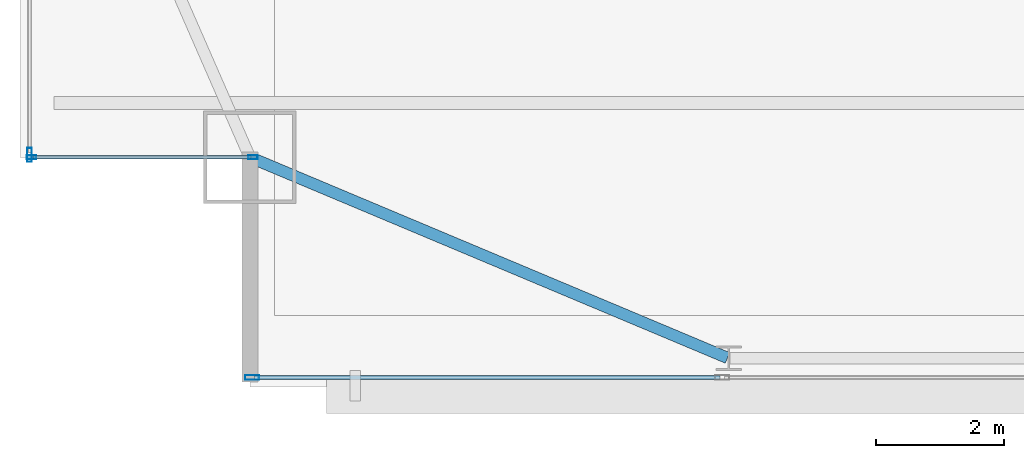
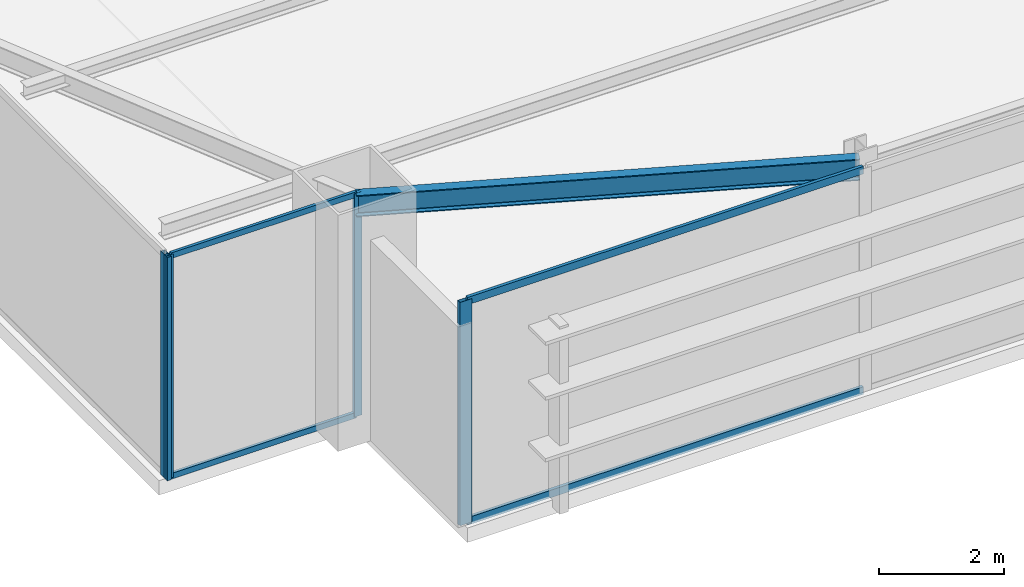
# One storey, part 4 of 32: 8 members, 1 beam, 3 elements without a shape of their own.
"""IFC4 building model written with IfcOpenShell, lengths in metres."""

import ifcopenshell
import ifcopenshell.guid

model = None  # the IFC model being written
_history = None  # IfcOwnerHistory: only IFC2X3 demands one
_inside = {}  # id of a spatial element -> (the spatial element, [elements in it])
_under = {}  # id of a project, library or spatial element -> (it, [spatial elements below it])
_declared = {}  # id of a project -> (the project, [libraries it declares])
_typed = {}  # id of a type object -> (the type object, [elements of that type])
_made_of = {}  # id of a material, layer set ... -> (it, [elements and type objects made of it])


def new_model(schema):
    """Start an empty IFC model of exactly this schema.

    Asked for "IFC4X3", IfcOpenShell would pick the latest addendum, in which some entities
    have other attributes; the version numbers below select the first issue.
    IFC2X3 requires an IfcOwnerHistory on every rooted entity: one is made here for all.
    """
    global model, _history
    if schema == "IFC4X3":
        model = ifcopenshell.file(schema_version=(4, 3, 0, 0))
    else:
        model = ifcopenshell.file(schema=schema)
    _inside.clear()
    _under.clear()
    _declared.clear()
    _typed.clear()
    _made_of.clear()
    _history = None
    if model.schema == "IFC2X3":
        org = make("IfcOrganization", Name="unknown")
        user = make(
            "IfcPersonAndOrganization",
            ThePerson=make("IfcPerson", FamilyName="unknown"),
            TheOrganization=org,
        )
        app = make(
            "IfcApplication",
            ApplicationDeveloper=org,
            Version="unknown",
            ApplicationFullName="unknown",
            ApplicationIdentifier="unknown",
        )
        _history = make(
            "IfcOwnerHistory",
            OwningUser=user,
            OwningApplication=app,
            ChangeAction="ADDED",
            CreationDate=0,
        )
    return model


def make(cls, **values):
    """One entity of the class cls with the attributes given. An attribute that is None is left unset."""
    return model.create_entity(
        cls, **{name: value for name, value in values.items() if value is not None}
    )


def rooted(cls, **values):
    """An entity with a GlobalId (a new one), such as an element, a storey or a relation."""
    return make(cls, GlobalId=ifcopenshell.guid.new(), OwnerHistory=_history, **values)


def si_unit(unit_type, name, prefix=None):
    """IfcSIUnit, for example si_unit("LENGTHUNIT", "METRE", prefix="MILLI")."""
    return make("IfcSIUnit", UnitType=unit_type, Prefix=prefix, Name=name)


def assignment(units):
    """IfcUnitAssignment: the units of a project."""
    return None if units is None else make("IfcUnitAssignment", Units=units)


def point(xyz):
    """IfcCartesianPoint."""
    return None if xyz is None else make("IfcCartesianPoint", Coordinates=xyz)


def direction(xyz):
    """IfcDirection."""
    return None if xyz is None else make("IfcDirection", DirectionRatios=xyz)


def frame(location, z_axis=None, x_axis=None):
    """IfcAxis2Placement3D, a coordinate frame: its origin and axes. An axis left out is left unset."""
    return make(
        "IfcAxis2Placement3D",
        Location=point(location),
        Axis=direction(z_axis),
        RefDirection=direction(x_axis),
    )


def frame_2d(location, x_axis=None):
    """IfcAxis2Placement2D, a coordinate frame in the plane: its origin and x axis."""
    return make(
        "IfcAxis2Placement2D", Location=point(location), RefDirection=direction(x_axis)
    )


def origin():
    """The frame at (0, 0, 0) with its axes left unset."""
    return frame((0.0, 0.0, 0.0))


def origin_2d():
    """The frame at (0, 0) in the plane with its x axis left unset."""
    return frame_2d((0.0, 0.0))


def place(relative_to, where):
    """IfcLocalPlacement: puts the frame where relative to a parent placement (None: the world)."""
    return make(
        "IfcLocalPlacement", PlacementRelTo=relative_to, RelativePlacement=where
    )


def context(
    kind, dimensions, precision=None, world=None, true_north=None, identifier=None
):
    """IfcGeometricRepresentationContext, for example the 3D "Model" context."""
    return make(
        "IfcGeometricRepresentationContext",
        ContextIdentifier=identifier,
        ContextType=kind,
        CoordinateSpaceDimension=dimensions,
        Precision=precision,
        WorldCoordinateSystem=world,
        TrueNorth=true_north,
    )


def subcontext(parent, identifier, kind, view, scale=None):
    """IfcGeometricRepresentationSubContext, for example "Body" below "Model"."""
    return make(
        "IfcGeometricRepresentationSubContext",
        ContextIdentifier=identifier,
        ContextType=kind,
        ParentContext=parent,
        TargetScale=scale,
        TargetView=view,
    )


def project(units=None, contexts=None):
    """IfcProject with its units and contexts."""
    return rooted(
        "IfcProject",
        Name="project",
        RepresentationContexts=contexts,
        UnitsInContext=assignment(units),
    )


def spatial(cls, under=None, at=None, **own):
    """A site, building, storey or space (cls), placed at a placement, below another one or the project."""
    s = rooted(cls, ObjectPlacement=at, **own)
    if under is not None:
        _under.setdefault(under.id(), (under, []))[1].append(s)
    return s


def profile(cls, at=None, kind="AREA", **sizes):
    """A parametric profile (cls). Its sizes go by their IFC names, for example OverallWidth=200.0."""
    return make(cls, ProfileType=kind, Position=at, **sizes)


def hollow_rectangle(**sizes):
    """IfcRectangleHollowProfileDef."""
    return profile("IfcRectangleHollowProfileDef", **sizes)


def i_section(**sizes):
    """IfcIShapeProfileDef."""
    return profile("IfcIShapeProfileDef", **sizes)


def extrude(swept, where, along, depth):
    """IfcExtrudedAreaSolid: the profile swept, set in the frame where, extruded along a direction by depth."""
    return make(
        "IfcExtrudedAreaSolid",
        SweptArea=swept,
        Position=where,
        ExtrudedDirection=direction(along),
        Depth=depth,
    )


def shape(context_of_items, identifier, shape_type, items):
    """IfcShapeRepresentation: the items that make up one representation, for example the "Body"."""
    return make(
        "IfcShapeRepresentation",
        ContextOfItems=context_of_items,
        RepresentationIdentifier=identifier,
        RepresentationType=shape_type,
        Items=items,
    )


def source(mapping_origin, context_of_items, identifier, shape_type, items):
    """IfcRepresentationMap: a shape defined once, which mapped items show again and again."""
    return make(
        "IfcRepresentationMap",
        MappingOrigin=mapping_origin,
        MappedRepresentation=shape(context_of_items, identifier, shape_type, items),
    )


def transform(
    local_origin,
    x_axis=None,
    y_axis=None,
    z_axis=None,
    scale=None,
    scale2=None,
    scale3=None,
    uniform=True,
):
    """IfcCartesianTransformationOperator3D, or its non-uniform kind. x_axis, y_axis, z_axis: its Axis1, 2, 3."""
    if uniform:
        return make(
            "IfcCartesianTransformationOperator3D",
            Axis1=direction(x_axis),
            Axis2=direction(y_axis),
            LocalOrigin=point(local_origin),
            Scale=scale,
            Axis3=direction(z_axis),
        )
    return make(
        "IfcCartesianTransformationOperator3DnonUniform",
        Axis1=direction(x_axis),
        Axis2=direction(y_axis),
        LocalOrigin=point(local_origin),
        Scale=scale,
        Axis3=direction(z_axis),
        Scale2=scale2,
        Scale3=scale3,
    )


def mapped(mapping_source, mapping_target):
    """IfcMappedItem: shows the shape of a source again, moved by a transform."""
    return make(
        "IfcMappedItem", MappingSource=mapping_source, MappingTarget=mapping_target
    )


def material(Name=None, Category=None):
    """IfcMaterial."""
    return make("IfcMaterial", Name=Name, Category=Category)


def layer(
    of_material, thickness, ventilated=None, Name=None, Category=None, Priority=None
):
    """IfcMaterialLayer: one layer of a wall or slab, of a material (None: an air gap)."""
    return make(
        "IfcMaterialLayer",
        Material=of_material,
        LayerThickness=thickness,
        IsVentilated=ventilated,
        Name=Name,
        Category=Category,
        Priority=Priority,
    )


def layer_set(layers, Name=None):
    """IfcMaterialLayerSet."""
    return make("IfcMaterialLayerSet", MaterialLayers=layers, LayerSetName=Name)


def material_profile(
    of_material, cross_section, Name=None, Category=None, Priority=None
):
    """IfcMaterialProfile: a cross section and its material."""
    return make(
        "IfcMaterialProfile",
        Name=Name,
        Material=of_material,
        Profile=cross_section,
        Priority=Priority,
        Category=Category,
    )


def profile_set(profiles, Name=None, composite=None):
    """IfcMaterialProfileSet."""
    return make(
        "IfcMaterialProfileSet",
        Name=Name,
        MaterialProfiles=profiles,
        CompositeProfile=composite,
    )


def made_of(thing, what):
    """Note that an element or type object is made of a material, layer set ...; save() writes the relation."""
    if what is not None:
        _made_of.setdefault(what.id(), (what, []))[1].append(thing)
    return thing


def type_object(cls, material=None, **own):
    """A type object (cls), such as IfcWallType, which elements share."""
    return made_of(rooted(cls, **own), material)


def type_shapes(of_type, sources):
    """Give a type object the sources (RepresentationMaps) that its elements show as mapped items."""
    of_type.RepresentationMaps = sources


def element(
    cls,
    number,
    at=None,
    inside=None,
    cuts=None,
    type_object=None,
    material=None,
    context=None,
    identifier="Body",
    shape_type=None,
    held_by="IfcProductDefinitionShape",
    body=None,
    shapes=None,
    **own,
):
    """One element of the class cls, such as IfcWall. Its Tag is "e" and its number.

    at: its placement. inside: the storey or other place that contains it. cuts: it is an
    opening in that element (IfcRelVoidsElement). A single representation is given by context,
    identifier, shape_type and body (its items); several are given by shapes. held_by: the class
    of the entity that holds the representations. save() writes the other relations.
    """
    e = rooted(cls, Tag="e%d" % number, ObjectPlacement=at, **own)
    if body is not None:
        shapes = [shape(context, identifier, shape_type, body)]
    if shapes is not None:
        e.Representation = make(held_by, Representations=shapes)
    if inside is not None:
        _inside.setdefault(inside.id(), (inside, []))[1].append(e)
    if cuts is not None:
        rooted(
            "IfcRelVoidsElement", RelatingBuildingElement=cuts, RelatedOpeningElement=e
        )
    if type_object is not None:
        _typed.setdefault(type_object.id(), (type_object, []))[1].append(e)
    return made_of(e, material)


def aggregate(whole, parts):
    """IfcRelAggregates: a whole, such as a stair, and the parts it consists of."""
    return rooted("IfcRelAggregates", RelatingObject=whole, RelatedObjects=parts)


def save(model, path):
    """Write the relations noted so far, then the file.

    IfcRelAggregates (storeys below a building ...), IfcRelContainedInSpatialStructure (elements
    in a storey), IfcRelDefinesByType, IfcRelAssociatesMaterial and IfcRelDeclares: one each for
    every whole, place, type object, material and project.
    """
    for whole, parts in _under.values():
        aggregate(whole, parts)
    for where, things in _inside.values():
        rooted(
            "IfcRelContainedInSpatialStructure",
            RelatedElements=things,
            RelatingStructure=where,
        )
    for kind, things in _typed.values():
        rooted("IfcRelDefinesByType", RelatedObjects=things, RelatingType=kind)
    for what, things in _made_of.values():
        rooted("IfcRelAssociatesMaterial", RelatedObjects=things, RelatingMaterial=what)
    for by, libraries in _declared.values():
        rooted("IfcRelDeclares", RelatingContext=by, RelatedDefinitions=libraries)
    model.write(path)


model = new_model("IFC4")

# Units and contexts
model_context = context("Model", 3, precision=1e-05, world=origin(), true_north=direction((0.0, 1.0)))
body_context = subcontext(model_context, "Body", "Model", "MODEL_VIEW")
ifc_project = project(units=[si_unit("LENGTHUNIT", "METRE"), si_unit("AREAUNIT", "SQUARE_METRE"), si_unit("VOLUMEUNIT", "CUBIC_METRE"), si_unit("PLANEANGLEUNIT", "RADIAN"), si_unit("MASSUNIT", "GRAM", prefix="KILO")], contexts=[model_context])

# Site, building, storey
site_placement = place(None, origin())
site = spatial("IfcSite", under=ifc_project, at=site_placement, CompositionType="ELEMENT")
building_placement = place(site_placement, origin())
building = spatial("IfcBuilding", under=site, at=building_placement, Name="Varnel Quay Broadcast Tower", CompositionType="ELEMENT")
storey_placement = place(building_placement, frame((0.0, 0.0, 98.39990234375)))
storey = spatial("IfcBuildingStorey", under=building, at=storey_placement, Name="L23", CompositionType="ELEMENT", Elevation=98.39990234375)

# Beam
ifc_material_1 = material(Name="Structural Steel CSA G40.21 350W", Category="steel")
ifc_material_profile_1 = material_profile(ifc_material_1, i_section(OverallWidth=0.180908203125, OverallDepth=0.4169921875, WebThickness=0.010986328125, FlangeThickness=0.018310546875, FilletRadius=0.011962890625, at=origin_2d()), Name="W410X85")
ifc_profile_set_1 = profile_set([ifc_material_profile_1], Name="Structural Steel CSA G40.21 350W")
beam_type = type_object("IfcBeamType", Name="Beam_W410X85", PredefinedType="SPANDREL", material=ifc_profile_set_1)
shared_shape_1 = source(origin(), body_context, "Body", "SweptSolid", [
    extrude(i_section(OverallWidth=0.180908203125, OverallDepth=0.4169921875, WebThickness=0.010986328125, FlangeThickness=0.018310546875, FilletRadius=0.011962890625, at=origin_2d()), origin(), (0.0, 0.0, 1.0), 8.0947265625),
])
type_shapes(beam_type, [shared_shape_1])
beam_placement = place(storey_placement, frame((8.118408203125, 7.792236328125, 4.1416015625), z_axis=(0.921981890247, -0.387232997117, 0.0), x_axis=(0.387232997117, 0.921981890247, 0.0)))
element("IfcBeam", 1, at=beam_placement, inside=storey, type_object=beam_type, Name="L23 South Spandrel MC-SW-TC-S1", PredefinedType="SPANDREL", context=body_context, shape_type="MappedRepresentation", body=[
    mapped(shared_shape_1, transform((0.0, 0.0, 0.0), x_axis=(1.0, 0.0, 0.0), y_axis=(0.0, 1.0, 0.0), z_axis=(0.0, 0.0, 1.0), scale=1.0)),
])

# Curtain wall, members
ifc_material_2 = material(Name="Anodised Bronze Aluminium 6063-T6", Category="aluminium")
ifc_layer_1 = layer(ifc_material_2, 0.18994140625, Name="Anodised Bronze Aluminium 6063-T6")
ifc_layer_set_1 = layer_set([ifc_layer_1], Name="Anodised Bronze Aluminium 6063-T6")
curtain_wall_type_1 = type_object("IfcCurtainWallType", Name="CW_NotchCorner", PredefinedType="NOTDEFINED", material=ifc_layer_set_1)
curtain_wall_1_placement = place(storey_placement, origin())
curtain_wall_1 = element("IfcCurtainWall", 2, at=curtain_wall_1_placement, inside=storey, type_object=curtain_wall_type_1, Name="L23 SW Notch Curtain Wall", PredefinedType="NOTDEFINED")
ifc_material_profile_2 = material_profile(ifc_material_2, hollow_rectangle(XDim=0.054931640625, YDim=0.110107421875, WallThickness=0.0029296875, at=origin_2d()), Name="ALU55X110X3")
ifc_profile_set_2 = profile_set([ifc_material_profile_2], Name="Anodised Bronze Aluminium 6063-T6")
member_type_1 = type_object("IfcMemberType", Name="Tran_CWS-04", PredefinedType="USERDEFINED", material=ifc_profile_set_2)
shared_shape_2 = source(origin(), body_context, "Body", "SweptSolid", [
    extrude(hollow_rectangle(XDim=0.054931640625, YDim=0.110107421875, WallThickness=0.0029296875, at=origin_2d()), origin(), (0.0, 0.0, 1.0), 3.41015625),
])
type_shapes(member_type_1, [shared_shape_2])
member_1_placement = place(storey_placement, frame((4.7099609375, 7.800048828125, 0.027587890625), z_axis=(1.0, 0.0, 0.0), x_axis=(0.0, 1.0, 0.0)))
member_1 = element("IfcMember", 3, at=member_1_placement, type_object=member_type_1, Name="CWS-04 transom 1.1", ObjectType="TRANSOM", PredefinedType="USERDEFINED", context=body_context, shape_type="MappedRepresentation", body=[
    mapped(shared_shape_2, transform((0.0, 0.0, 0.0), x_axis=(1.0, 0.0, 0.0), y_axis=(0.0, 1.0, 0.0), z_axis=(0.0, 0.0, 1.0), scale=1.0)),
])
member_2_placement = place(storey_placement, frame((4.7099609375, 7.800048828125, 4.322509765625), z_axis=(1.0, 0.0, 0.0), x_axis=(0.0, 1.0, 0.0)))
member_2 = element("IfcMember", 4, at=member_2_placement, type_object=member_type_1, Name="CWS-04 transom 1.2", ObjectType="TRANSOM", PredefinedType="USERDEFINED", context=body_context, shape_type="MappedRepresentation", body=[
    mapped(shared_shape_2, transform((0.0, 0.0, 0.0), x_axis=(1.0, 0.0, 0.0), y_axis=(0.0, 1.0, 0.0), z_axis=(0.0, 0.0, 1.0), scale=1.0)),
])

# Curtain wall, member
ifc_layer_2 = layer(ifc_material_2, 0.18994140625, Name="Anodised Bronze Aluminium 6063-T6")
ifc_layer_set_2 = layer_set([ifc_layer_2], Name="Anodised Bronze Aluminium 6063-T6")
curtain_wall_type_2 = type_object("IfcCurtainWallType", Name="CW_SkyObsHighVis", PredefinedType="NOTDEFINED", material=ifc_layer_set_2)
curtain_wall_2_placement = place(storey_placement, origin())
curtain_wall_2 = element("IfcCurtainWall", 5, at=curtain_wall_2_placement, inside=storey, type_object=curtain_wall_type_2, Name="L23 South Unitised Curtain Wall 1", PredefinedType="NOTDEFINED")
ifc_material_profile_3 = material_profile(ifc_material_2, hollow_rectangle(XDim=0.074951171875, YDim=0.219970703125, WallThickness=0.00390625, at=origin_2d()), Name="ALU75X220X4")
ifc_profile_set_3 = profile_set([ifc_material_profile_3], Name="Anodised Bronze Aluminium 6063-T6")
member_type_2 = type_object("IfcMemberType", Name="Mull_CWS-05", PredefinedType="MULLION", material=ifc_profile_set_3)
shared_shape_3 = source(origin(), body_context, "Body", "SweptSolid", [
    extrude(hollow_rectangle(XDim=0.074951171875, YDim=0.219970703125, WallThickness=0.00390625, at=origin_2d()), origin(), (0.0, 0.0, 1.0), 4.35009765625),
])
type_shapes(member_type_2, [shared_shape_3])
member_3_placement = place(storey_placement, frame((8.137451171875, 4.35009765625, 0.0), z_axis=(0.0, 0.0, 1.0), x_axis=(0.0, 1.0, 0.0)))
member_3 = element("IfcMember", 6, at=member_3_placement, type_object=member_type_2, Name="CWS-05 mullion 1", PredefinedType="MULLION", context=body_context, shape_type="MappedRepresentation", body=[
    mapped(shared_shape_3, transform((0.0, 0.0, 0.0), x_axis=(1.0, 0.0, 0.0), y_axis=(0.0, 1.0, 0.0), z_axis=(0.0, 0.0, 1.0), scale=1.0)),
])

curtain_wall_3_placement = place(storey_placement, origin())
curtain_wall_3 = element("IfcCurtainWall", 7, at=curtain_wall_3_placement, inside=storey, type_object=curtain_wall_type_2, Name="L23 West Unitised Curtain Wall", PredefinedType="NOTDEFINED")
member_4_placement = place(storey_placement, frame((4.64990234375, 7.83740234375, 0.0), z_axis=(0.0, 0.0, 1.0), x_axis=(-1.0, 0.0, 0.0)))
member_4 = element("IfcMember", 8, at=member_4_placement, type_object=member_type_2, Name="CWS-05 mullion 1", PredefinedType="MULLION", context=body_context, shape_type="MappedRepresentation", body=[
    mapped(shared_shape_3, transform((0.0, 0.0, 0.0), x_axis=(1.0, 0.0, 0.0), y_axis=(0.0, 1.0, 0.0), z_axis=(0.0, 0.0, 1.0), scale=1.0)),
])
aggregate(curtain_wall_3, [member_4])

# Member
ifc_material_profile_4 = material_profile(ifc_material_2, hollow_rectangle(XDim=0.06005859375, YDim=0.14501953125, WallThickness=0.00341796875, at=origin_2d()), Name="ALU60X145X3.5")
ifc_profile_set_4 = profile_set([ifc_material_profile_4], Name="Anodised Bronze Aluminium 6063-T6")
member_type_3 = type_object("IfcMemberType", Name="Tran_CWS-05", PredefinedType="USERDEFINED", material=ifc_profile_set_4)
shared_shape_4 = source(origin(), body_context, "Body", "SweptSolid", [
    extrude(hollow_rectangle(XDim=0.06005859375, YDim=0.14501953125, WallThickness=0.00341796875, at=origin_2d()), origin(), (0.0, 0.0, 1.0), 7.287353515625),
])
type_shapes(member_type_3, [shared_shape_4])
member_5_placement = place(storey_placement, frame((8.175048828125, 4.35009765625, 0.030029296875), z_axis=(1.0, 0.0, 0.0), x_axis=(0.0, 1.0, 0.0)))
member_5 = element("IfcMember", 9, at=member_5_placement, type_object=member_type_3, Name="CWS-05 transom 1.1", ObjectType="TRANSOM", PredefinedType="USERDEFINED", context=body_context, shape_type="MappedRepresentation", body=[
    mapped(shared_shape_4, transform((0.0, 0.0, 0.0), x_axis=(1.0, 0.0, 0.0), y_axis=(0.0, 1.0, 0.0), z_axis=(0.0, 0.0, 1.0), scale=1.0)),
])

member_6_placement = place(storey_placement, frame((8.175048828125, 4.35009765625, 4.320068359375), z_axis=(1.0, 0.0, 0.0), x_axis=(0.0, 1.0, 0.0)))
member_6 = element("IfcMember", 10, at=member_6_placement, type_object=member_type_3, Name="CWS-05 transom 1.2", ObjectType="TRANSOM", PredefinedType="USERDEFINED", context=body_context, shape_type="MappedRepresentation", body=[
    mapped(shared_shape_4, transform((0.0, 0.0, 0.0), x_axis=(1.0, 0.0, 0.0), y_axis=(0.0, 1.0, 0.0), z_axis=(0.0, 0.0, 1.0), scale=1.0)),
])

aggregate(curtain_wall_2, [member_3, member_5, member_6])

ifc_material_profile_5 = material_profile(ifc_material_2, hollow_rectangle(XDim=0.06005859375, YDim=0.14501953125, WallThickness=0.00341796875, at=origin_2d()), Name="ALU60X145X3.5")
ifc_profile_set_5 = profile_set([ifc_material_profile_5], Name="Anodised Bronze Aluminium 6063-T6")
member_type_4 = type_object("IfcMemberType", Name="Mull_CWS-04", PredefinedType="MULLION", material=ifc_profile_set_5)
shared_shape_5 = source(origin(), body_context, "Body", "SweptSolid", [
    extrude(hollow_rectangle(XDim=0.06005859375, YDim=0.14501953125, WallThickness=0.00341796875, at=origin_2d()), origin(), (0.0, 0.0, 1.0), 4.35009765625),
])
type_shapes(member_type_4, [shared_shape_5])
member_7_placement = place(storey_placement, frame((4.679931640625, 7.800048828125, 0.0), z_axis=(0.0, 0.0, 1.0), x_axis=(0.0, 1.0, 0.0)))
member_7 = element("IfcMember", 11, at=member_7_placement, type_object=member_type_4, Name="CWS-04 mullion 1", PredefinedType="MULLION", context=body_context, shape_type="MappedRepresentation", body=[
    mapped(shared_shape_5, transform((0.0, 0.0, 0.0), x_axis=(1.0, 0.0, 0.0), y_axis=(0.0, 1.0, 0.0), z_axis=(0.0, 0.0, 1.0), scale=1.0)),
])

member_8_placement = place(storey_placement, frame((8.14990234375, 7.800048828125, 0.0), z_axis=(0.0, 0.0, 1.0), x_axis=(0.0, 1.0, 0.0)))
member_8 = element("IfcMember", 12, at=member_8_placement, type_object=member_type_4, Name="CWS-04 mullion 2", PredefinedType="MULLION", context=body_context, shape_type="MappedRepresentation", body=[
    mapped(shared_shape_5, transform((0.0, 0.0, 0.0), x_axis=(1.0, 0.0, 0.0), y_axis=(0.0, 1.0, 0.0), z_axis=(0.0, 0.0, 1.0), scale=1.0)),
])

aggregate(curtain_wall_1, [member_7, member_8, member_1, member_2])

save(model, "model.ifc")
